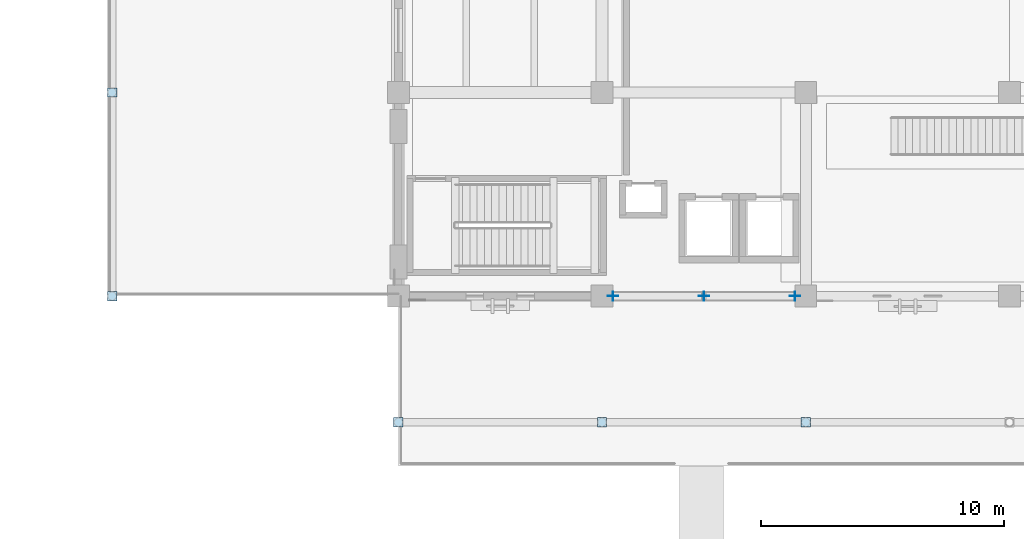
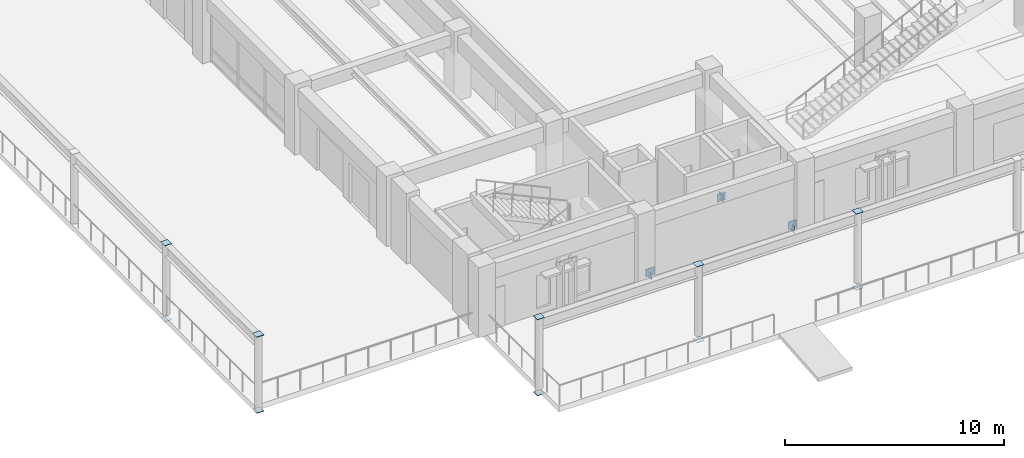
# One storey, part 72 of 135: 16 plates.
"""IFC4 building model written with IfcOpenShell, lengths in metres."""

from ifc_helpers import new_model, si_unit, direction, frame, origin, origin_2d, place, context, subcontext, project, spatial, rectangle, extrude, material, layer, layer_set, type_object, element, save


model = new_model("IFC4")

# Units and contexts
model_context = context("Model", 3, precision=1e-05, world=origin(), true_north=direction((0.0, 1.0)))
body_context = subcontext(model_context, "Body", "Model", "MODEL_VIEW")
ifc_project = project(units=[si_unit("LENGTHUNIT", "METRE"), si_unit("AREAUNIT", "SQUARE_METRE"), si_unit("VOLUMEUNIT", "CUBIC_METRE"), si_unit("PLANEANGLEUNIT", "RADIAN"), si_unit("MASSUNIT", "GRAM", prefix="KILO")], contexts=[model_context])

# Site, building, storey
site_placement = place(None, origin())
site = spatial("IfcSite", under=ifc_project, at=site_placement, CompositionType="ELEMENT")
building_placement = place(site_placement, origin())
building = spatial("IfcBuilding", under=site, at=building_placement, Name="Cumbredor Promenade Congress Hotel", CompositionType="ELEMENT")
storey_placement = place(building_placement, origin())
storey = spatial("IfcBuildingStorey", under=building, at=storey_placement, Name="L00", CompositionType="ELEMENT", Elevation=0.0)

# Plates
ifc_material = material(Name="Steel ASTM A572 Grade 50", Category="steel")
ifc_layer_1 = layer(ifc_material, 0.02001953125, Name="Steel ASTM A572 Grade 50", Category="steel")
ifc_layer_set_1 = layer_set([ifc_layer_1], Name="Steel ASTM A572 Grade 50")
plate_type_1 = type_object("IfcPlateType", Name="Hollow Section End Cap Plate CP-04", PredefinedType="USERDEFINED", material=ifc_layer_set_1)
for number, where, z_axis, x_axis, name in (
    (1, (-3.39990234375, 8.39990234375, -0.318115234375), (0.0, 0.0, 1.0), (1.0, 0.0, 0.0), "Promenade Colonnade Column TC-001 Start Cap Plate"),
    (2, (-3.39990234375, 8.39990234375, 3.91796875), (0.0, 0.0, 1.0), (1.0, 0.0, 0.0), "Promenade Colonnade Column TC-001 End Cap Plate"),
    (3, (-3.39990234375, 16.800048828125, -0.318115234375), (0.0, 0.0, 1.0), (1.0, 0.0, 0.0), "Promenade Colonnade Column TC-002 Start Cap Plate"),
    (4, (-3.39990234375, 16.800048828125, 3.91796875), (0.0, 0.0, 1.0), (1.0, 0.0, 0.0), "Promenade Colonnade Column TC-002 End Cap Plate"),
    (5, (8.39990234375, 3.199951171875, -0.318115234375), (0.0, 0.0, 1.0), (1.0, 0.0, 0.0), "Promenade Colonnade Column TC-009 Start Cap Plate"),
    (6, (8.39990234375, 3.199951171875, 3.91796875), (0.0, 0.0, 1.0), (1.0, 0.0, 0.0), "Promenade Colonnade Column TC-009 End Cap Plate"),
    (7, (16.800048828125, 3.199951171875, -0.318115234375), (0.0, 0.0, 1.0), (1.0, 0.0, 0.0), "Promenade Colonnade Column TC-010 Start Cap Plate"),
    (8, (16.800048828125, 3.199951171875, 3.91796875), (0.0, 0.0, 1.0), (1.0, 0.0, 0.0), "Promenade Colonnade Column TC-010 End Cap Plate"),
    (9, (25.199951171875, 3.199951171875, -0.318115234375), (0.0, 0.0, 1.0), (1.0, 0.0, 0.0), "Promenade Colonnade Column TC-011 Start Cap Plate"),
    (10, (25.199951171875, 3.199951171875, 3.91796875), (0.0, 0.0, 1.0), (1.0, 0.0, 0.0), "Promenade Colonnade Column TC-011 End Cap Plate"),
):
    element("IfcPlate", number, at=place(storey_placement, frame(where, z_axis=z_axis, x_axis=x_axis)), inside=storey, type_object=plate_type_1, Name=name, ObjectType="CAP PLATE", PredefinedType="USERDEFINED", context=body_context, shape_type="SweptSolid", body=[
        extrude(rectangle(XDim=0.3798828125, YDim=0.3798828125, at=origin_2d()), origin(), (0.0, 0.0, 1.0), 0.02001953125),
    ])
for number, where, z_axis, x_axis, name in (
    (11, (17.243896484375, 8.39990234375, -0.195068359375), (0.0, 0.0, 1.0), (1.0, 0.0, 0.0), "L00 Chevron Seismic Brace 9A Start Cap Plate"),
    (12, (21.006103515625, 8.39990234375, 2.844970703125), (0.0, 0.0, 1.0), (1.0, 0.0, 0.0), "L00 Chevron Seismic Brace 9A End Cap Plate"),
    (13, (24.756103515625, 8.39990234375, -0.195068359375), (0.0, 0.0, 1.0), (-1.0, 0.0, 0.0), "L00 Chevron Seismic Brace 9B Start Cap Plate"),
):
    element("IfcPlate", number, at=place(storey_placement, frame(where, z_axis=z_axis, x_axis=x_axis)), inside=storey, type_object=plate_type_1, Name=name, ObjectType="CAP PLATE", PredefinedType="USERDEFINED", context=body_context, shape_type="SweptSolid", body=[
        extrude(rectangle(XDim=0.02001953125, YDim=0.3798828125, at=origin_2d()), origin(), (0.0, 0.0, 1.0), 0.3798828125),
    ])
ifc_layer_2 = layer(ifc_material, 0.028076171875, Name="Steel ASTM A572 Grade 50", Category="steel")
ifc_layer_set_2 = layer_set([ifc_layer_2], Name="Steel ASTM A572 Grade 50")
plate_type_2 = type_object("IfcPlateType", Name="Space Frame Node Assembly ND-03", PredefinedType="USERDEFINED", material=ifc_layer_set_2)
for number, where, z_axis, x_axis, name in (
    (14, (17.25, 8.39990234375, -0.0400390625), (0.0, 0.0, 1.0), (1.0, 0.0, 0.0), "L00 Seismic Frame Gusset Plate 9-BL"),
    (15, (24.75, 8.39990234375, -0.0400390625), (0.0, 0.0, 1.0), (1.0, 0.0, 0.0), "L00 Seismic Frame Gusset Plate 9-BR"),
    (16, (21.0, 8.39990234375, 2.81005859375), (0.0, 0.0, 1.0), (1.0, 0.0, 0.0), "L00 Seismic Frame Gusset Plate 9-APX"),
):
    element("IfcPlate", number, at=place(storey_placement, frame(where, z_axis=z_axis, x_axis=x_axis)), inside=storey, type_object=plate_type_2, Name=name, ObjectType="GUSSET PLATE", PredefinedType="USERDEFINED", context=body_context, shape_type="SweptSolid", body=[
        extrude(rectangle(XDim=0.43994140625, YDim=0.028076171875, at=origin_2d()), origin(), (0.0, 0.0, 1.0), 0.43994140625),
    ])

save(model, "model.ifc")
